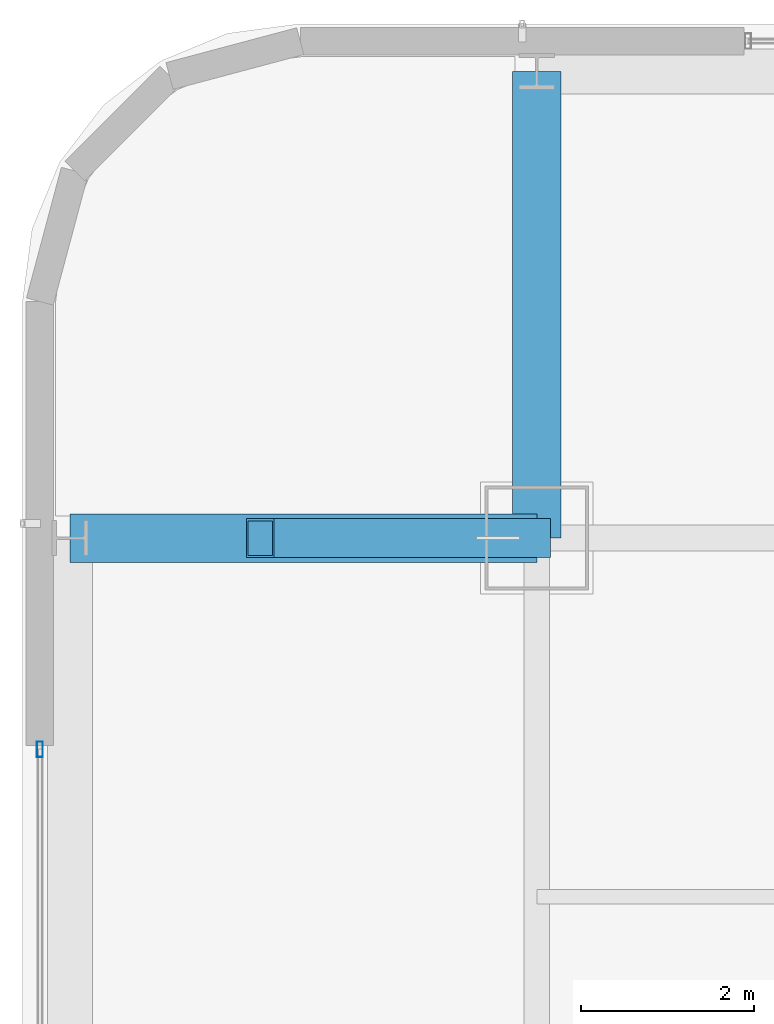
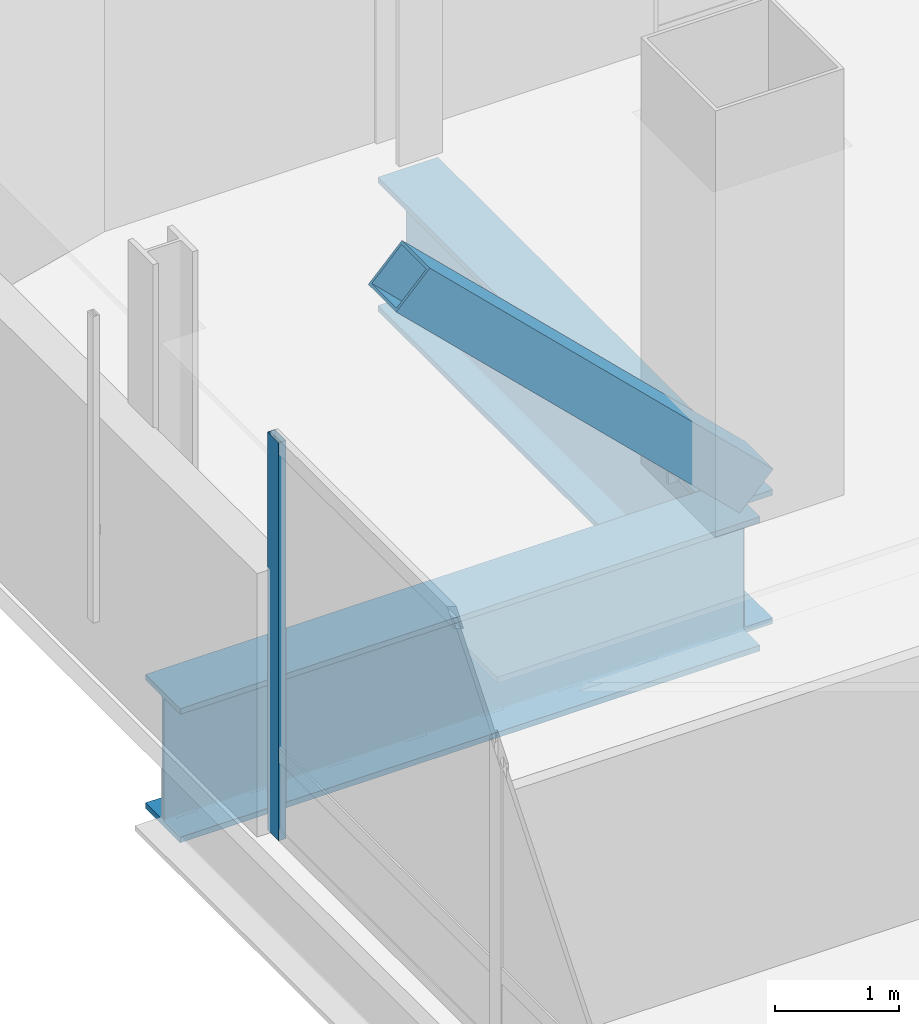
# One storey, part 20 of 51: 2 beams, 2 members, 1 element without a shape of its own.
"""IFC4 building model written with IfcOpenShell, lengths in metres."""

from ifc_helpers import new_model, si_unit, direction, frame, origin, origin_2d, place, context, subcontext, project, spatial, hollow_rectangle, i_section, extrude, material, material_profile, profile_set, type_object, element, aggregate, save


model = new_model("IFC4")

# Units and contexts
model_context = context("Model", 3, precision=1e-05, world=origin(), true_north=direction((0.0, 1.0)))
body_context = subcontext(model_context, "Body", "Model", "MODEL_VIEW")
ifc_project = project(units=[si_unit("LENGTHUNIT", "METRE"), si_unit("AREAUNIT", "SQUARE_METRE"), si_unit("VOLUMEUNIT", "CUBIC_METRE"), si_unit("PLANEANGLEUNIT", "RADIAN"), si_unit("MASSUNIT", "GRAM", prefix="KILO")], contexts=[model_context])

# Site, building, storey
site_placement = place(None, origin())
site = spatial("IfcSite", under=ifc_project, at=site_placement, CompositionType="ELEMENT")
building_placement = place(site_placement, origin())
building = spatial("IfcBuilding", under=site, at=building_placement, Name="Punatoya Terracotta Tower", CompositionType="ELEMENT")
storey_placement = place(building_placement, frame((0.0, 0.0, 313.199951171875)))
storey = spatial("IfcBuildingStorey", under=building, at=storey_placement, Name="L74", CompositionType="ELEMENT", Elevation=313.199951171875)

# Beams
ifc_material_1 = material(Name="Steel S460", Category="steel")
ifc_material_profile_1 = material_profile(ifc_material_1, i_section(OverallWidth=0.56005859375, OverallDepth=1.320068359375, WebThickness=0.035888671875, FlangeThickness=0.054931640625, FilletRadius=0.01806640625, at=origin_2d()))
ifc_profile_set_1 = profile_set([ifc_material_profile_1], Name="Steel S460")
beam_type = type_object("IfcBeamType", Name="BM-TG-BLK", PredefinedType="BEAM", material=ifc_profile_set_1)
for number, where, z_axis, x_axis, name in (
    (1, (-24.5, 17.5, -0.85986328125), (1.0, 0.0, 0.0), (0.0, 1.0, 0.0), "BM-L74-CANT-W4"),
    (2, (-19.10009765625, 17.5, -0.85986328125), (0.0, 1.0, 0.0), (-1.0, 0.0, 0.0), "BM-L74-CANT-N1"),
):
    element("IfcBeam", number, at=place(storey_placement, frame(where, z_axis=z_axis, x_axis=x_axis)), inside=storey, type_object=beam_type, Name=name, PredefinedType="BEAM", context=body_context, shape_type="SweptSolid", body=[
        extrude(i_section(OverallWidth=0.56005859375, OverallDepth=1.320068359375, WebThickness=0.035888671875, FlangeThickness=0.054931640625, FilletRadius=0.01806640625, at=origin_2d()), origin(), (0.0, 0.0, 1.0), 5.39990234375),
    ])

# Curtain wall, member
ifc_material_2 = material(Name="Aluminium 6063-T6 + Double Low-E Glass", Category="aluminium")
curtain_wall_type = type_object("IfcCurtainWallType", Name="CW-M3", PredefinedType="NOTDEFINED", material=ifc_material_2)
curtain_wall_placement = place(storey_placement, origin())
curtain_wall = element("IfcCurtainWall", 3, at=curtain_wall_placement, inside=storey, type_object=curtain_wall_type, Name="L74 Curtain Wall CW-L74-W13-1", PredefinedType="NOTDEFINED")
ifc_material_3 = material(Name="Aluminium 6063-T6", Category="aluminium")
ifc_material_profile_2 = material_profile(ifc_material_3, hollow_rectangle(XDim=0.070068359375, YDim=0.179931640625, WallThickness=0.00390625, at=origin_2d()))
ifc_profile_set_2 = profile_set([ifc_material_profile_2], Name="Aluminium 6063-T6")
member_type_1 = type_object("IfcMemberType", Name="CW-MUL-M3", PredefinedType="MULLION", material=ifc_profile_set_2)
member_1_placement = place(storey_placement, frame((-24.85009765625, 15.054931640625, 0.0), z_axis=(0.0, 0.0, 1.0), x_axis=(1.0, 0.0, 0.0)))
member_1 = element("IfcMember", 4, at=member_1_placement, type_object=member_type_1, Name="CW-L74-W13-1 Mullion 00", PredefinedType="MULLION", context=body_context, shape_type="SweptSolid", body=[
    extrude(hollow_rectangle(XDim=0.070068359375, YDim=0.179931640625, WallThickness=0.00390625, at=origin_2d()), origin(), (0.0, 0.0, 1.0), 3.920166015625),
])
aggregate(curtain_wall, [member_1])

# Member
ifc_material_profile_3 = material_profile(ifc_material_1, hollow_rectangle(XDim=0.449951171875, YDim=0.449951171875, WallThickness=0.02490234375, at=origin_2d()))
ifc_profile_set_3 = profile_set([ifc_material_profile_3], Name="Steel S460")
member_type_2 = type_object("IfcMemberType", Name="MEM-STR-450", PredefinedType="STRUT", material=ifc_profile_set_3)
member_2_placement = place(storey_placement, frame((-19.10009765625, 17.5, 0.02001953125), z_axis=(-0.718223962936, 0.0, 0.695811999799), x_axis=(0.0, -1.0, 0.0)))
element("IfcMember", 5, at=member_2_placement, inside=storey, type_object=member_type_2, Name="L75 Cantilever Raking Knee-Strut W2", PredefinedType="STRUT", context=body_context, shape_type="SweptSolid", body=[
    extrude(hollow_rectangle(XDim=0.449951171875, YDim=0.449951171875, WallThickness=0.02490234375, at=origin_2d()), origin(), (0.0, 0.0, 1.0), 4.455322265625),
])

save(model, "model.ifc")
